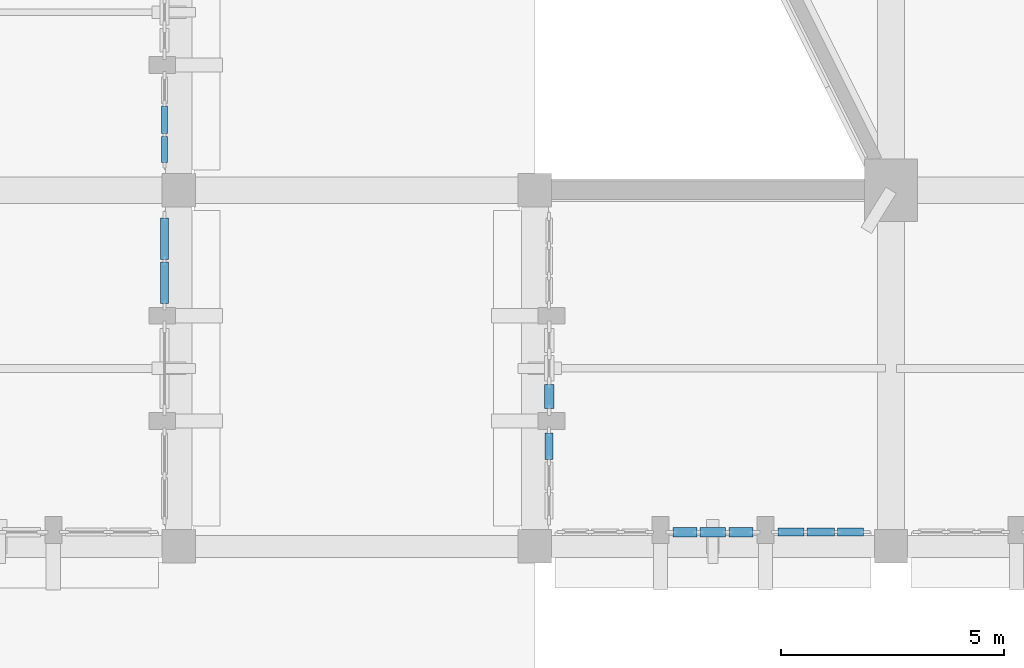
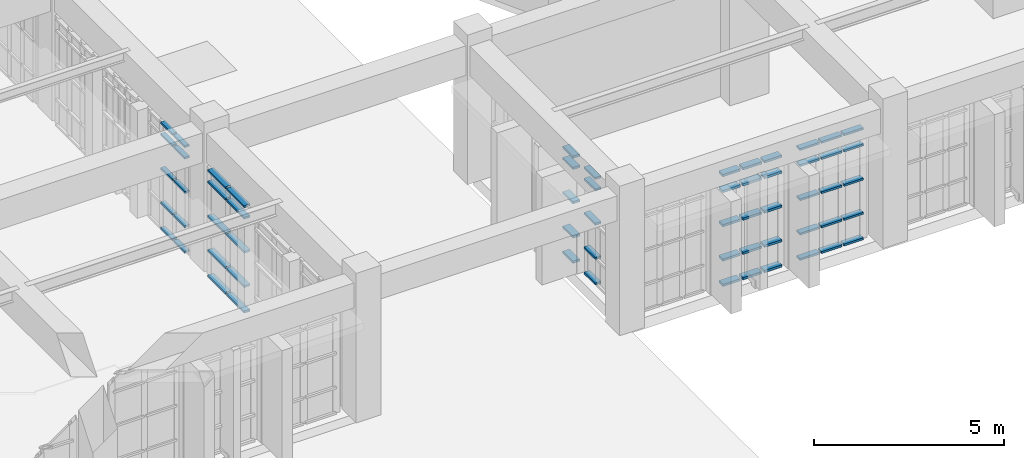
# One storey, part 52 of 155: 60 members, 6 elements without a shape of their own.
"""IFC4 building model written with IfcOpenShell, lengths in metres."""

from ifc_helpers import new_model, si_unit, direction, frame, origin, origin_2d, place, context, subcontext, project, spatial, rectangle, extrude, material, layer, layer_set, material_profile, profile_set, type_object, element, aggregate, save


model = new_model("IFC4")

# Units and contexts
model_context = context("Model", 3, precision=1e-05, world=origin(), true_north=direction((0.0, 1.0)))
body_context = subcontext(model_context, "Body", "Model", "MODEL_VIEW")
ifc_project = project(units=[si_unit("LENGTHUNIT", "METRE"), si_unit("AREAUNIT", "SQUARE_METRE"), si_unit("VOLUMEUNIT", "CUBIC_METRE"), si_unit("PLANEANGLEUNIT", "RADIAN"), si_unit("MASSUNIT", "GRAM", prefix="KILO")], contexts=[model_context])

# Site, building, storey
site_placement = place(None, origin())
site = spatial("IfcSite", under=ifc_project, at=site_placement, CompositionType="ELEMENT")
building_placement = place(site_placement, origin())
building = spatial("IfcBuilding", under=site, at=building_placement, Name="Tazarka Park Arena", CompositionType="ELEMENT")
storey_placement = place(building_placement, frame((0.0, 0.0, 5.39990234375)))
storey = spatial("IfcBuildingStorey", under=building, at=storey_placement, Name="L01", CompositionType="ELEMENT", Elevation=5.39990234375)

# Curtain wall, members
ifc_material_1 = material(Name="Aluminium and low-e glass", Category="aluminium")
ifc_layer_1 = layer(ifc_material_1, 0.179931640625, Name="Aluminium and low-e glass")
ifc_layer_set_1 = layer_set([ifc_layer_1], Name="Aluminium and low-e glass")
curtain_wall_type_1 = type_object("IfcCurtainWallType", Name="CW-03", PredefinedType="NOTDEFINED", material=ifc_layer_set_1)
curtain_wall_1_placement = place(storey_placement, origin())
curtain_wall_1 = element("IfcCurtainWall", 1, at=curtain_wall_1_placement, inside=storey, type_object=curtain_wall_type_1, Name="Curtain Wall CWA-L01-093", PredefinedType="NOTDEFINED")
ifc_material_2 = material(Name="Aluminium 6060-T66", Category="aluminium")
ifc_material_profile_1 = material_profile(ifc_material_2, rectangle(XDim=0.139892578125, YDim=0.06494140625, at=origin_2d()), Name="Aluminium 6060-T66")
ifc_profile_set_1 = profile_set([ifc_material_profile_1], Name="Aluminium 6060-T66")
member_type_1 = type_object("IfcMemberType", Name="CWT-01", PredefinedType="USERDEFINED", material=ifc_profile_set_1)
member_1_placement = place(storey_placement, frame((47.679931640625, 17.891357421875, 0.03271484375), z_axis=(0.0, -1.0, 0.0), x_axis=(1.0, 0.0, 0.0)))
member_1 = element("IfcMember", 2, at=member_1_placement, type_object=member_type_1, Name="CW-03 transom 2.1", ObjectType="TRANSOM", PredefinedType="USERDEFINED", context=body_context, shape_type="SweptSolid", body=[
    extrude(rectangle(XDim=0.139892578125, YDim=0.06494140625, at=origin_2d()), origin(), (0.0, 0.0, 1.0), 0.619384765625),
])
member_2_placement = place(storey_placement, frame((47.679931640625, 17.891357421875, 0.85009765625), z_axis=(0.0, -1.0, 0.0), x_axis=(1.0, 0.0, 0.0)))
member_2 = element("IfcMember", 3, at=member_2_placement, type_object=member_type_1, Name="CW-03 transom 2.2", ObjectType="TRANSOM", PredefinedType="USERDEFINED", context=body_context, shape_type="SweptSolid", body=[
    extrude(rectangle(XDim=0.139892578125, YDim=0.06494140625, at=origin_2d()), origin(), (0.0, 0.0, 1.0), 0.619384765625),
])
member_3_placement = place(storey_placement, frame((47.679931640625, 17.891357421875, 1.9501953125), z_axis=(0.0, -1.0, 0.0), x_axis=(1.0, 0.0, 0.0)))
member_3 = element("IfcMember", 4, at=member_3_placement, type_object=member_type_1, Name="CW-03 transom 2.3", ObjectType="TRANSOM", PredefinedType="USERDEFINED", context=body_context, shape_type="SweptSolid", body=[
    extrude(rectangle(XDim=0.139892578125, YDim=0.06494140625, at=origin_2d()), origin(), (0.0, 0.0, 1.0), 0.619384765625),
])
member_4_placement = place(storey_placement, frame((47.679931640625, 17.891357421875, 3.050048828125), z_axis=(0.0, -1.0, 0.0), x_axis=(1.0, 0.0, 0.0)))
member_4 = element("IfcMember", 5, at=member_4_placement, type_object=member_type_1, Name="CW-03 transom 2.4", ObjectType="TRANSOM", PredefinedType="USERDEFINED", context=body_context, shape_type="SweptSolid", body=[
    extrude(rectangle(XDim=0.139892578125, YDim=0.06494140625, at=origin_2d()), origin(), (0.0, 0.0, 1.0), 0.619384765625),
])
member_5_placement = place(storey_placement, frame((47.679931640625, 17.891357421875, 3.41748046875), z_axis=(0.0, -1.0, 0.0), x_axis=(1.0, 0.0, 0.0)))
member_5 = element("IfcMember", 6, at=member_5_placement, type_object=member_type_1, Name="CW-03 transom 2.5", ObjectType="TRANSOM", PredefinedType="USERDEFINED", context=body_context, shape_type="SweptSolid", body=[
    extrude(rectangle(XDim=0.139892578125, YDim=0.06494140625, at=origin_2d()), origin(), (0.0, 0.0, 1.0), 0.619384765625),
])
member_6_placement = place(storey_placement, frame((47.679931640625, 17.20703125, 0.03271484375), z_axis=(0.0, -1.0, 0.0), x_axis=(1.0, 0.0, 0.0)))
member_6 = element("IfcMember", 7, at=member_6_placement, type_object=member_type_1, Name="CW-03 transom 3.1", ObjectType="TRANSOM", PredefinedType="USERDEFINED", context=body_context, shape_type="SweptSolid", body=[
    extrude(rectangle(XDim=0.139892578125, YDim=0.06494140625, at=origin_2d()), origin(), (0.0, 0.0, 1.0), 0.5869140625),
])
member_7_placement = place(storey_placement, frame((47.679931640625, 17.20703125, 0.85009765625), z_axis=(0.0, -1.0, 0.0), x_axis=(1.0, 0.0, 0.0)))
member_7 = element("IfcMember", 8, at=member_7_placement, type_object=member_type_1, Name="CW-03 transom 3.2", ObjectType="TRANSOM", PredefinedType="USERDEFINED", context=body_context, shape_type="SweptSolid", body=[
    extrude(rectangle(XDim=0.139892578125, YDim=0.06494140625, at=origin_2d()), origin(), (0.0, 0.0, 1.0), 0.5869140625),
])
member_8_placement = place(storey_placement, frame((47.679931640625, 17.20703125, 1.9501953125), z_axis=(0.0, -1.0, 0.0), x_axis=(1.0, 0.0, 0.0)))
member_8 = element("IfcMember", 9, at=member_8_placement, type_object=member_type_1, Name="CW-03 transom 3.3", ObjectType="TRANSOM", PredefinedType="USERDEFINED", context=body_context, shape_type="SweptSolid", body=[
    extrude(rectangle(XDim=0.139892578125, YDim=0.06494140625, at=origin_2d()), origin(), (0.0, 0.0, 1.0), 0.5869140625),
])
member_9_placement = place(storey_placement, frame((47.679931640625, 17.20703125, 3.050048828125), z_axis=(0.0, -1.0, 0.0), x_axis=(1.0, 0.0, 0.0)))
member_9 = element("IfcMember", 10, at=member_9_placement, type_object=member_type_1, Name="CW-03 transom 3.4", ObjectType="TRANSOM", PredefinedType="USERDEFINED", context=body_context, shape_type="SweptSolid", body=[
    extrude(rectangle(XDim=0.139892578125, YDim=0.06494140625, at=origin_2d()), origin(), (0.0, 0.0, 1.0), 0.5869140625),
])
member_10_placement = place(storey_placement, frame((47.679931640625, 17.20703125, 3.41748046875), z_axis=(0.0, -1.0, 0.0), x_axis=(1.0, 0.0, 0.0)))
member_10 = element("IfcMember", 11, at=member_10_placement, type_object=member_type_1, Name="CW-03 transom 3.5", ObjectType="TRANSOM", PredefinedType="USERDEFINED", context=body_context, shape_type="SweptSolid", body=[
    extrude(rectangle(XDim=0.139892578125, YDim=0.06494140625, at=origin_2d()), origin(), (0.0, 0.0, 1.0), 0.5869140625),
])
aggregate(curtain_wall_1, [member_1, member_2, member_3, member_4, member_5, member_6, member_7, member_8, member_9, member_10])

ifc_material_3 = material(Name="Aluminium and low-e glass", Category="aluminium")
ifc_layer_2 = layer(ifc_material_3, 0.179931640625, Name="Aluminium and low-e glass")
ifc_layer_set_2 = layer_set([ifc_layer_2], Name="Aluminium and low-e glass")
curtain_wall_type_2 = type_object("IfcCurtainWallType", Name="CW-01", PredefinedType="NOTDEFINED", material=ifc_layer_set_2)
curtain_wall_2_placement = place(storey_placement, origin())
curtain_wall_2 = element("IfcCurtainWall", 12, at=curtain_wall_2_placement, inside=storey, type_object=curtain_wall_type_2, Name="Curtain Wall CWA-L01-001", PredefinedType="NOTDEFINED")
ifc_material_4 = material(Name="Aluminium 6060-T66", Category="aluminium")
ifc_material_profile_2 = material_profile(ifc_material_4, rectangle(XDim=0.179931640625, YDim=0.06494140625, at=origin_2d()), Name="Aluminium 6060-T66")
ifc_profile_set_2 = profile_set([ifc_material_profile_2], Name="Aluminium 6060-T66")
member_type_2 = type_object("IfcMemberType", Name="CWT-02", PredefinedType="USERDEFINED", material=ifc_profile_set_2)
member_11_placement = place(storey_placement, frame((56.320068359375, 9.956298828125, 0.03271484375), z_axis=(0.0, 1.0, 0.0), x_axis=(-1.0, 0.0, 0.0)))
member_11 = element("IfcMember", 13, at=member_11_placement, type_object=member_type_2, Name="CW-01 transom 3.1", ObjectType="TRANSOM", PredefinedType="USERDEFINED", context=body_context, shape_type="SweptSolid", body=[
    extrude(rectangle(XDim=0.179931640625, YDim=0.06494140625, at=origin_2d()), origin(), (0.0, 0.0, 1.0), 0.5869140625),
])
member_12_placement = place(storey_placement, frame((56.320068359375, 9.956298828125, 0.85009765625), z_axis=(0.0, 1.0, 0.0), x_axis=(-1.0, 0.0, 0.0)))
member_12 = element("IfcMember", 14, at=member_12_placement, type_object=member_type_2, Name="CW-01 transom 3.2", ObjectType="TRANSOM", PredefinedType="USERDEFINED", context=body_context, shape_type="SweptSolid", body=[
    extrude(rectangle(XDim=0.179931640625, YDim=0.06494140625, at=origin_2d()), origin(), (0.0, 0.0, 1.0), 0.5869140625),
])
member_13_placement = place(storey_placement, frame((56.320068359375, 9.956298828125, 1.9501953125), z_axis=(0.0, 1.0, 0.0), x_axis=(-1.0, 0.0, 0.0)))
member_13 = element("IfcMember", 15, at=member_13_placement, type_object=member_type_2, Name="CW-01 transom 3.3", ObjectType="TRANSOM", PredefinedType="USERDEFINED", context=body_context, shape_type="SweptSolid", body=[
    extrude(rectangle(XDim=0.179931640625, YDim=0.06494140625, at=origin_2d()), origin(), (0.0, 0.0, 1.0), 0.5869140625),
])
member_14_placement = place(storey_placement, frame((56.320068359375, 9.956298828125, 3.050048828125), z_axis=(0.0, 1.0, 0.0), x_axis=(-1.0, 0.0, 0.0)))
member_14 = element("IfcMember", 16, at=member_14_placement, type_object=member_type_2, Name="CW-01 transom 3.4", ObjectType="TRANSOM", PredefinedType="USERDEFINED", context=body_context, shape_type="SweptSolid", body=[
    extrude(rectangle(XDim=0.179931640625, YDim=0.06494140625, at=origin_2d()), origin(), (0.0, 0.0, 1.0), 0.5869140625),
])
member_15_placement = place(storey_placement, frame((56.320068359375, 9.956298828125, 3.41748046875), z_axis=(0.0, 1.0, 0.0), x_axis=(-1.0, 0.0, 0.0)))
member_15 = element("IfcMember", 17, at=member_15_placement, type_object=member_type_2, Name="CW-01 transom 3.5", ObjectType="TRANSOM", PredefinedType="USERDEFINED", context=body_context, shape_type="SweptSolid", body=[
    extrude(rectangle(XDim=0.179931640625, YDim=0.06494140625, at=origin_2d()), origin(), (0.0, 0.0, 1.0), 0.5869140625),
])
aggregate(curtain_wall_2, [member_11, member_12, member_13, member_14, member_15])

ifc_material_5 = material(Name="Aluminium and low-e glass", Category="aluminium")
ifc_layer_3 = layer(ifc_material_5, 0.179931640625, Name="Aluminium and low-e glass")
ifc_layer_set_3 = layer_set([ifc_layer_3], Name="Aluminium and low-e glass")
curtain_wall_type_3 = type_object("IfcCurtainWallType", Name="CW-04", PredefinedType="NOTDEFINED", material=ifc_layer_set_3)
curtain_wall_3_placement = place(storey_placement, origin())
curtain_wall_3 = element("IfcCurtainWall", 18, at=curtain_wall_3_placement, inside=storey, type_object=curtain_wall_type_3, Name="Curtain Wall CWA-L01-004", PredefinedType="NOTDEFINED")
member_16_placement = place(storey_placement, frame((63.3798828125, 8.320068359375, 0.03271484375), z_axis=(-1.0, 0.0, 0.0), x_axis=(0.0, -1.0, 0.0)))
member_16 = element("IfcMember", 19, at=member_16_placement, type_object=member_type_2, Name="CW-04 transom 1.1", ObjectType="TRANSOM", PredefinedType="USERDEFINED", context=body_context, shape_type="SweptSolid", body=[
    extrude(rectangle(XDim=0.179931640625, YDim=0.06494140625, at=origin_2d()), origin(), (0.0, 0.0, 1.0), 0.5869140625),
])
member_17_placement = place(storey_placement, frame((63.3798828125, 8.320068359375, 0.85009765625), z_axis=(-1.0, 0.0, 0.0), x_axis=(0.0, -1.0, 0.0)))
member_17 = element("IfcMember", 20, at=member_17_placement, type_object=member_type_2, Name="CW-04 transom 1.2", ObjectType="TRANSOM", PredefinedType="USERDEFINED", context=body_context, shape_type="SweptSolid", body=[
    extrude(rectangle(XDim=0.179931640625, YDim=0.06494140625, at=origin_2d()), origin(), (0.0, 0.0, 1.0), 0.5869140625),
])
member_18_placement = place(storey_placement, frame((63.3798828125, 8.320068359375, 1.9501953125), z_axis=(-1.0, 0.0, 0.0), x_axis=(0.0, -1.0, 0.0)))
member_18 = element("IfcMember", 21, at=member_18_placement, type_object=member_type_2, Name="CW-04 transom 1.3", ObjectType="TRANSOM", PredefinedType="USERDEFINED", context=body_context, shape_type="SweptSolid", body=[
    extrude(rectangle(XDim=0.179931640625, YDim=0.06494140625, at=origin_2d()), origin(), (0.0, 0.0, 1.0), 0.5869140625),
])
member_19_placement = place(storey_placement, frame((63.3798828125, 8.320068359375, 3.050048828125), z_axis=(-1.0, 0.0, 0.0), x_axis=(0.0, -1.0, 0.0)))
member_19 = element("IfcMember", 22, at=member_19_placement, type_object=member_type_2, Name="CW-04 transom 1.4", ObjectType="TRANSOM", PredefinedType="USERDEFINED", context=body_context, shape_type="SweptSolid", body=[
    extrude(rectangle(XDim=0.179931640625, YDim=0.06494140625, at=origin_2d()), origin(), (0.0, 0.0, 1.0), 0.5869140625),
])
member_20_placement = place(storey_placement, frame((63.3798828125, 8.320068359375, 3.567626953125), z_axis=(-1.0, 0.0, 0.0), x_axis=(0.0, -1.0, 0.0)))
member_20 = element("IfcMember", 23, at=member_20_placement, type_object=member_type_2, Name="CW-04 transom 1.5", ObjectType="TRANSOM", PredefinedType="USERDEFINED", context=body_context, shape_type="SweptSolid", body=[
    extrude(rectangle(XDim=0.179931640625, YDim=0.06494140625, at=origin_2d()), origin(), (0.0, 0.0, 1.0), 0.5869140625),
])
member_21_placement = place(storey_placement, frame((62.72802734375, 8.320068359375, 0.03271484375), z_axis=(-1.0, 0.0, 0.0), x_axis=(0.0, -1.0, 0.0)))
member_21 = element("IfcMember", 24, at=member_21_placement, type_object=member_type_2, Name="CW-04 transom 2.1", ObjectType="TRANSOM", PredefinedType="USERDEFINED", context=body_context, shape_type="SweptSolid", body=[
    extrude(rectangle(XDim=0.179931640625, YDim=0.06494140625, at=origin_2d()), origin(), (0.0, 0.0, 1.0), 0.619384765625),
])
member_22_placement = place(storey_placement, frame((62.72802734375, 8.320068359375, 0.85009765625), z_axis=(-1.0, 0.0, 0.0), x_axis=(0.0, -1.0, 0.0)))
member_22 = element("IfcMember", 25, at=member_22_placement, type_object=member_type_2, Name="CW-04 transom 2.2", ObjectType="TRANSOM", PredefinedType="USERDEFINED", context=body_context, shape_type="SweptSolid", body=[
    extrude(rectangle(XDim=0.179931640625, YDim=0.06494140625, at=origin_2d()), origin(), (0.0, 0.0, 1.0), 0.619384765625),
])
member_23_placement = place(storey_placement, frame((62.72802734375, 8.320068359375, 1.9501953125), z_axis=(-1.0, 0.0, 0.0), x_axis=(0.0, -1.0, 0.0)))
member_23 = element("IfcMember", 26, at=member_23_placement, type_object=member_type_2, Name="CW-04 transom 2.3", ObjectType="TRANSOM", PredefinedType="USERDEFINED", context=body_context, shape_type="SweptSolid", body=[
    extrude(rectangle(XDim=0.179931640625, YDim=0.06494140625, at=origin_2d()), origin(), (0.0, 0.0, 1.0), 0.619384765625),
])
member_24_placement = place(storey_placement, frame((62.72802734375, 8.320068359375, 3.050048828125), z_axis=(-1.0, 0.0, 0.0), x_axis=(0.0, -1.0, 0.0)))
member_24 = element("IfcMember", 27, at=member_24_placement, type_object=member_type_2, Name="CW-04 transom 2.4", ObjectType="TRANSOM", PredefinedType="USERDEFINED", context=body_context, shape_type="SweptSolid", body=[
    extrude(rectangle(XDim=0.179931640625, YDim=0.06494140625, at=origin_2d()), origin(), (0.0, 0.0, 1.0), 0.619384765625),
])
member_25_placement = place(storey_placement, frame((62.72802734375, 8.320068359375, 3.567626953125), z_axis=(-1.0, 0.0, 0.0), x_axis=(0.0, -1.0, 0.0)))
member_25 = element("IfcMember", 28, at=member_25_placement, type_object=member_type_2, Name="CW-04 transom 2.5", ObjectType="TRANSOM", PredefinedType="USERDEFINED", context=body_context, shape_type="SweptSolid", body=[
    extrude(rectangle(XDim=0.179931640625, YDim=0.06494140625, at=origin_2d()), origin(), (0.0, 0.0, 1.0), 0.619384765625),
])
member_26_placement = place(storey_placement, frame((62.043701171875, 8.320068359375, 0.03271484375), z_axis=(-1.0, 0.0, 0.0), x_axis=(0.0, -1.0, 0.0)))
member_26 = element("IfcMember", 29, at=member_26_placement, type_object=member_type_2, Name="CW-04 transom 3.1", ObjectType="TRANSOM", PredefinedType="USERDEFINED", context=body_context, shape_type="SweptSolid", body=[
    extrude(rectangle(XDim=0.179931640625, YDim=0.06494140625, at=origin_2d()), origin(), (0.0, 0.0, 1.0), 0.5869140625),
])
member_27_placement = place(storey_placement, frame((62.043701171875, 8.320068359375, 0.85009765625), z_axis=(-1.0, 0.0, 0.0), x_axis=(0.0, -1.0, 0.0)))
member_27 = element("IfcMember", 30, at=member_27_placement, type_object=member_type_2, Name="CW-04 transom 3.2", ObjectType="TRANSOM", PredefinedType="USERDEFINED", context=body_context, shape_type="SweptSolid", body=[
    extrude(rectangle(XDim=0.179931640625, YDim=0.06494140625, at=origin_2d()), origin(), (0.0, 0.0, 1.0), 0.5869140625),
])
member_28_placement = place(storey_placement, frame((62.043701171875, 8.320068359375, 1.9501953125), z_axis=(-1.0, 0.0, 0.0), x_axis=(0.0, -1.0, 0.0)))
member_28 = element("IfcMember", 31, at=member_28_placement, type_object=member_type_2, Name="CW-04 transom 3.3", ObjectType="TRANSOM", PredefinedType="USERDEFINED", context=body_context, shape_type="SweptSolid", body=[
    extrude(rectangle(XDim=0.179931640625, YDim=0.06494140625, at=origin_2d()), origin(), (0.0, 0.0, 1.0), 0.5869140625),
])
member_29_placement = place(storey_placement, frame((62.043701171875, 8.320068359375, 3.050048828125), z_axis=(-1.0, 0.0, 0.0), x_axis=(0.0, -1.0, 0.0)))
member_29 = element("IfcMember", 32, at=member_29_placement, type_object=member_type_2, Name="CW-04 transom 3.4", ObjectType="TRANSOM", PredefinedType="USERDEFINED", context=body_context, shape_type="SweptSolid", body=[
    extrude(rectangle(XDim=0.179931640625, YDim=0.06494140625, at=origin_2d()), origin(), (0.0, 0.0, 1.0), 0.5869140625),
])
member_30_placement = place(storey_placement, frame((62.043701171875, 8.320068359375, 3.567626953125), z_axis=(-1.0, 0.0, 0.0), x_axis=(0.0, -1.0, 0.0)))
member_30 = element("IfcMember", 33, at=member_30_placement, type_object=member_type_2, Name="CW-04 transom 3.5", ObjectType="TRANSOM", PredefinedType="USERDEFINED", context=body_context, shape_type="SweptSolid", body=[
    extrude(rectangle(XDim=0.179931640625, YDim=0.06494140625, at=origin_2d()), origin(), (0.0, 0.0, 1.0), 0.5869140625),
])
aggregate(curtain_wall_3, [member_16, member_17, member_18, member_19, member_20, member_21, member_22, member_23, member_24, member_25, member_26, member_27, member_28, member_29, member_30])

ifc_material_6 = material(Name="Aluminium and low-e glass", Category="aluminium")
ifc_layer_4 = layer(ifc_material_6, 0.179931640625, Name="Aluminium and low-e glass")
ifc_layer_set_4 = layer_set([ifc_layer_4], Name="Aluminium and low-e glass")
curtain_wall_type_4 = type_object("IfcCurtainWallType", Name="CW-28", PredefinedType="NOTDEFINED", material=ifc_layer_set_4)
curtain_wall_4_placement = place(storey_placement, origin())
curtain_wall_4 = element("IfcCurtainWall", 34, at=curtain_wall_4_placement, inside=storey, type_object=curtain_wall_type_4, Name="Curtain Wall CWA-L01-088", PredefinedType="NOTDEFINED")
member_31_placement = place(storey_placement, frame((47.679931640625, 15.3798828125, 0.03271484375), z_axis=(0.0, -1.0, 0.0), x_axis=(1.0, 0.0, 0.0)))
member_31 = element("IfcMember", 35, at=member_31_placement, type_object=member_type_2, Name="CW-28 transom 1.1", ObjectType="TRANSOM", PredefinedType="USERDEFINED", context=body_context, shape_type="SweptSolid", body=[
    extrude(rectangle(XDim=0.179931640625, YDim=0.06494140625, at=origin_2d()), origin(), (0.0, 0.0, 1.0), 0.928955078125),
])
member_32_placement = place(storey_placement, frame((47.679931640625, 15.3798828125, 0.85009765625), z_axis=(0.0, -1.0, 0.0), x_axis=(1.0, 0.0, 0.0)))
member_32 = element("IfcMember", 36, at=member_32_placement, type_object=member_type_2, Name="CW-28 transom 1.2", ObjectType="TRANSOM", PredefinedType="USERDEFINED", context=body_context, shape_type="SweptSolid", body=[
    extrude(rectangle(XDim=0.179931640625, YDim=0.06494140625, at=origin_2d()), origin(), (0.0, 0.0, 1.0), 0.928955078125),
])
member_33_placement = place(storey_placement, frame((47.679931640625, 15.3798828125, 1.9501953125), z_axis=(0.0, -1.0, 0.0), x_axis=(1.0, 0.0, 0.0)))
member_33 = element("IfcMember", 37, at=member_33_placement, type_object=member_type_2, Name="CW-28 transom 1.3", ObjectType="TRANSOM", PredefinedType="USERDEFINED", context=body_context, shape_type="SweptSolid", body=[
    extrude(rectangle(XDim=0.179931640625, YDim=0.06494140625, at=origin_2d()), origin(), (0.0, 0.0, 1.0), 0.928955078125),
])
member_34_placement = place(storey_placement, frame((47.679931640625, 15.3798828125, 3.050048828125), z_axis=(0.0, -1.0, 0.0), x_axis=(1.0, 0.0, 0.0)))
member_34 = element("IfcMember", 38, at=member_34_placement, type_object=member_type_2, Name="CW-28 transom 1.4", ObjectType="TRANSOM", PredefinedType="USERDEFINED", context=body_context, shape_type="SweptSolid", body=[
    extrude(rectangle(XDim=0.179931640625, YDim=0.06494140625, at=origin_2d()), origin(), (0.0, 0.0, 1.0), 0.928955078125),
])
member_35_placement = place(storey_placement, frame((47.679931640625, 15.3798828125, 3.41748046875), z_axis=(0.0, -1.0, 0.0), x_axis=(1.0, 0.0, 0.0)))
member_35 = element("IfcMember", 39, at=member_35_placement, type_object=member_type_2, Name="CW-28 transom 1.5", ObjectType="TRANSOM", PredefinedType="USERDEFINED", context=body_context, shape_type="SweptSolid", body=[
    extrude(rectangle(XDim=0.179931640625, YDim=0.06494140625, at=origin_2d()), origin(), (0.0, 0.0, 1.0), 0.928955078125),
])
member_36_placement = place(storey_placement, frame((47.679931640625, 14.3857421875, 0.03271484375), z_axis=(0.0, -1.0, 0.0), x_axis=(1.0, 0.0, 0.0)))
member_36 = element("IfcMember", 40, at=member_36_placement, type_object=member_type_2, Name="CW-28 transom 2.1", ObjectType="TRANSOM", PredefinedType="USERDEFINED", context=body_context, shape_type="SweptSolid", body=[
    extrude(rectangle(XDim=0.179931640625, YDim=0.06494140625, at=origin_2d()), origin(), (0.0, 0.0, 1.0), 0.928955078125),
])
member_37_placement = place(storey_placement, frame((47.679931640625, 14.3857421875, 0.85009765625), z_axis=(0.0, -1.0, 0.0), x_axis=(1.0, 0.0, 0.0)))
member_37 = element("IfcMember", 41, at=member_37_placement, type_object=member_type_2, Name="CW-28 transom 2.2", ObjectType="TRANSOM", PredefinedType="USERDEFINED", context=body_context, shape_type="SweptSolid", body=[
    extrude(rectangle(XDim=0.179931640625, YDim=0.06494140625, at=origin_2d()), origin(), (0.0, 0.0, 1.0), 0.928955078125),
])
member_38_placement = place(storey_placement, frame((47.679931640625, 14.3857421875, 1.9501953125), z_axis=(0.0, -1.0, 0.0), x_axis=(1.0, 0.0, 0.0)))
member_38 = element("IfcMember", 42, at=member_38_placement, type_object=member_type_2, Name="CW-28 transom 2.3", ObjectType="TRANSOM", PredefinedType="USERDEFINED", context=body_context, shape_type="SweptSolid", body=[
    extrude(rectangle(XDim=0.179931640625, YDim=0.06494140625, at=origin_2d()), origin(), (0.0, 0.0, 1.0), 0.928955078125),
])
member_39_placement = place(storey_placement, frame((47.679931640625, 14.3857421875, 3.050048828125), z_axis=(0.0, -1.0, 0.0), x_axis=(1.0, 0.0, 0.0)))
member_39 = element("IfcMember", 43, at=member_39_placement, type_object=member_type_2, Name="CW-28 transom 2.4", ObjectType="TRANSOM", PredefinedType="USERDEFINED", context=body_context, shape_type="SweptSolid", body=[
    extrude(rectangle(XDim=0.179931640625, YDim=0.06494140625, at=origin_2d()), origin(), (0.0, 0.0, 1.0), 0.928955078125),
])
member_40_placement = place(storey_placement, frame((47.679931640625, 14.3857421875, 3.41748046875), z_axis=(0.0, -1.0, 0.0), x_axis=(1.0, 0.0, 0.0)))
member_40 = element("IfcMember", 44, at=member_40_placement, type_object=member_type_2, Name="CW-28 transom 2.5", ObjectType="TRANSOM", PredefinedType="USERDEFINED", context=body_context, shape_type="SweptSolid", body=[
    extrude(rectangle(XDim=0.179931640625, YDim=0.06494140625, at=origin_2d()), origin(), (0.0, 0.0, 1.0), 0.928955078125),
])
aggregate(curtain_wall_4, [member_31, member_32, member_33, member_34, member_35, member_36, member_37, member_38, member_39, member_40])

ifc_material_7 = material(Name="Aluminium and low-e glass", Category="aluminium")
ifc_layer_5 = layer(ifc_material_7, 0.179931640625, Name="Aluminium and low-e glass")
ifc_layer_set_5 = layer_set([ifc_layer_5], Name="Aluminium and low-e glass")
curtain_wall_type_5 = type_object("IfcCurtainWallType", Name="CW-02", PredefinedType="NOTDEFINED", material=ifc_layer_set_5)
curtain_wall_5_placement = place(storey_placement, origin())
curtain_wall_5 = element("IfcCurtainWall", 45, at=curtain_wall_5_placement, inside=storey, type_object=curtain_wall_type_5, Name="Curtain Wall CWA-L01-002", PredefinedType="NOTDEFINED")
ifc_material_8 = material(Name="Aluminium 6060-T66", Category="aluminium")
ifc_material_profile_3 = material_profile(ifc_material_8, rectangle(XDim=0.2099609375, YDim=0.074951171875, at=origin_2d()), Name="Aluminium 6060-T66")
ifc_profile_set_3 = profile_set([ifc_material_profile_3], Name="Aluminium 6060-T66")
member_type_3 = type_object("IfcMemberType", Name="CWT-03", PredefinedType="USERDEFINED", material=ifc_profile_set_3)
member_41_placement = place(storey_placement, frame((56.320068359375, 11.103271484375, 0.03759765625), z_axis=(0.0, 1.0, 0.0), x_axis=(-1.0, 0.0, 0.0)))
member_41 = element("IfcMember", 46, at=member_41_placement, type_object=member_type_3, Name="CW-02 transom 1.1", ObjectType="TRANSOM", PredefinedType="USERDEFINED", context=body_context, shape_type="SweptSolid", body=[
    extrude(rectangle(XDim=0.2099609375, YDim=0.074951171875, at=origin_2d()), origin(), (0.0, 0.0, 1.0), 0.535400390625),
])
member_42_placement = place(storey_placement, frame((56.320068359375, 11.103271484375, 0.85009765625), z_axis=(0.0, 1.0, 0.0), x_axis=(-1.0, 0.0, 0.0)))
member_42 = element("IfcMember", 47, at=member_42_placement, type_object=member_type_3, Name="CW-02 transom 1.2", ObjectType="TRANSOM", PredefinedType="USERDEFINED", context=body_context, shape_type="SweptSolid", body=[
    extrude(rectangle(XDim=0.2099609375, YDim=0.074951171875, at=origin_2d()), origin(), (0.0, 0.0, 1.0), 0.535400390625),
])
member_43_placement = place(storey_placement, frame((56.320068359375, 11.103271484375, 1.9501953125), z_axis=(0.0, 1.0, 0.0), x_axis=(-1.0, 0.0, 0.0)))
member_43 = element("IfcMember", 48, at=member_43_placement, type_object=member_type_3, Name="CW-02 transom 1.3", ObjectType="TRANSOM", PredefinedType="USERDEFINED", context=body_context, shape_type="SweptSolid", body=[
    extrude(rectangle(XDim=0.2099609375, YDim=0.074951171875, at=origin_2d()), origin(), (0.0, 0.0, 1.0), 0.535400390625),
])
member_44_placement = place(storey_placement, frame((56.320068359375, 11.103271484375, 3.050048828125), z_axis=(0.0, 1.0, 0.0), x_axis=(-1.0, 0.0, 0.0)))
member_44 = element("IfcMember", 49, at=member_44_placement, type_object=member_type_3, Name="CW-02 transom 1.4", ObjectType="TRANSOM", PredefinedType="USERDEFINED", context=body_context, shape_type="SweptSolid", body=[
    extrude(rectangle(XDim=0.2099609375, YDim=0.074951171875, at=origin_2d()), origin(), (0.0, 0.0, 1.0), 0.535400390625),
])
member_45_placement = place(storey_placement, frame((56.320068359375, 11.103271484375, 3.41259765625), z_axis=(0.0, 1.0, 0.0), x_axis=(-1.0, 0.0, 0.0)))
member_45 = element("IfcMember", 50, at=member_45_placement, type_object=member_type_3, Name="CW-02 transom 1.5", ObjectType="TRANSOM", PredefinedType="USERDEFINED", context=body_context, shape_type="SweptSolid", body=[
    extrude(rectangle(XDim=0.2099609375, YDim=0.074951171875, at=origin_2d()), origin(), (0.0, 0.0, 1.0), 0.535400390625),
])
aggregate(curtain_wall_5, [member_41, member_42, member_43, member_44, member_45])

ifc_material_9 = material(Name="Aluminium and low-e glass", Category="aluminium")
ifc_layer_6 = layer(ifc_material_9, 0.179931640625, Name="Aluminium and low-e glass")
ifc_layer_set_6 = layer_set([ifc_layer_6], Name="Aluminium and low-e glass")
curtain_wall_type_6 = type_object("IfcCurtainWallType", Name="CW-05", PredefinedType="NOTDEFINED", material=ifc_layer_set_6)
curtain_wall_6_placement = place(storey_placement, origin())
curtain_wall_6 = element("IfcCurtainWall", 51, at=curtain_wall_6_placement, inside=storey, type_object=curtain_wall_type_6, Name="Curtain Wall CWA-L01-005", PredefinedType="NOTDEFINED")
member_46_placement = place(storey_placement, frame((60.896728515625, 8.320068359375, 0.03759765625), z_axis=(-1.0, 0.0, 0.0), x_axis=(0.0, -1.0, 0.0)))
member_46 = element("IfcMember", 52, at=member_46_placement, type_object=member_type_3, Name="CW-05 transom 1.1", ObjectType="TRANSOM", PredefinedType="USERDEFINED", context=body_context, shape_type="SweptSolid", body=[
    extrude(rectangle(XDim=0.2099609375, YDim=0.074951171875, at=origin_2d()), origin(), (0.0, 0.0, 1.0), 0.535400390625),
])
member_47_placement = place(storey_placement, frame((60.896728515625, 8.320068359375, 0.85009765625), z_axis=(-1.0, 0.0, 0.0), x_axis=(0.0, -1.0, 0.0)))
member_47 = element("IfcMember", 53, at=member_47_placement, type_object=member_type_3, Name="CW-05 transom 1.2", ObjectType="TRANSOM", PredefinedType="USERDEFINED", context=body_context, shape_type="SweptSolid", body=[
    extrude(rectangle(XDim=0.2099609375, YDim=0.074951171875, at=origin_2d()), origin(), (0.0, 0.0, 1.0), 0.535400390625),
])
member_48_placement = place(storey_placement, frame((60.896728515625, 8.320068359375, 1.9501953125), z_axis=(-1.0, 0.0, 0.0), x_axis=(0.0, -1.0, 0.0)))
member_48 = element("IfcMember", 54, at=member_48_placement, type_object=member_type_3, Name="CW-05 transom 1.3", ObjectType="TRANSOM", PredefinedType="USERDEFINED", context=body_context, shape_type="SweptSolid", body=[
    extrude(rectangle(XDim=0.2099609375, YDim=0.074951171875, at=origin_2d()), origin(), (0.0, 0.0, 1.0), 0.535400390625),
])
member_49_placement = place(storey_placement, frame((60.896728515625, 8.320068359375, 3.050048828125), z_axis=(-1.0, 0.0, 0.0), x_axis=(0.0, -1.0, 0.0)))
member_49 = element("IfcMember", 55, at=member_49_placement, type_object=member_type_3, Name="CW-05 transom 1.4", ObjectType="TRANSOM", PredefinedType="USERDEFINED", context=body_context, shape_type="SweptSolid", body=[
    extrude(rectangle(XDim=0.2099609375, YDim=0.074951171875, at=origin_2d()), origin(), (0.0, 0.0, 1.0), 0.535400390625),
])
member_50_placement = place(storey_placement, frame((60.896728515625, 8.320068359375, 3.5625), z_axis=(-1.0, 0.0, 0.0), x_axis=(0.0, -1.0, 0.0)))
member_50 = element("IfcMember", 56, at=member_50_placement, type_object=member_type_3, Name="CW-05 transom 1.5", ObjectType="TRANSOM", PredefinedType="USERDEFINED", context=body_context, shape_type="SweptSolid", body=[
    extrude(rectangle(XDim=0.2099609375, YDim=0.074951171875, at=origin_2d()), origin(), (0.0, 0.0, 1.0), 0.535400390625),
])
member_51_placement = place(storey_placement, frame((60.286376953125, 8.320068359375, 0.03759765625), z_axis=(-1.0, 0.0, 0.0), x_axis=(0.0, -1.0, 0.0)))
member_51 = element("IfcMember", 57, at=member_51_placement, type_object=member_type_3, Name="CW-05 transom 2.1", ObjectType="TRANSOM", PredefinedType="USERDEFINED", context=body_context, shape_type="SweptSolid", body=[
    extrude(rectangle(XDim=0.2099609375, YDim=0.074951171875, at=origin_2d()), origin(), (0.0, 0.0, 1.0), 0.57275390625),
])
member_52_placement = place(storey_placement, frame((60.286376953125, 8.320068359375, 0.85009765625), z_axis=(-1.0, 0.0, 0.0), x_axis=(0.0, -1.0, 0.0)))
member_52 = element("IfcMember", 58, at=member_52_placement, type_object=member_type_3, Name="CW-05 transom 2.2", ObjectType="TRANSOM", PredefinedType="USERDEFINED", context=body_context, shape_type="SweptSolid", body=[
    extrude(rectangle(XDim=0.2099609375, YDim=0.074951171875, at=origin_2d()), origin(), (0.0, 0.0, 1.0), 0.57275390625),
])
member_53_placement = place(storey_placement, frame((60.286376953125, 8.320068359375, 1.9501953125), z_axis=(-1.0, 0.0, 0.0), x_axis=(0.0, -1.0, 0.0)))
member_53 = element("IfcMember", 59, at=member_53_placement, type_object=member_type_3, Name="CW-05 transom 2.3", ObjectType="TRANSOM", PredefinedType="USERDEFINED", context=body_context, shape_type="SweptSolid", body=[
    extrude(rectangle(XDim=0.2099609375, YDim=0.074951171875, at=origin_2d()), origin(), (0.0, 0.0, 1.0), 0.57275390625),
])
member_54_placement = place(storey_placement, frame((60.286376953125, 8.320068359375, 3.050048828125), z_axis=(-1.0, 0.0, 0.0), x_axis=(0.0, -1.0, 0.0)))
member_54 = element("IfcMember", 60, at=member_54_placement, type_object=member_type_3, Name="CW-05 transom 2.4", ObjectType="TRANSOM", PredefinedType="USERDEFINED", context=body_context, shape_type="SweptSolid", body=[
    extrude(rectangle(XDim=0.2099609375, YDim=0.074951171875, at=origin_2d()), origin(), (0.0, 0.0, 1.0), 0.57275390625),
])
member_55_placement = place(storey_placement, frame((60.286376953125, 8.320068359375, 3.5625), z_axis=(-1.0, 0.0, 0.0), x_axis=(0.0, -1.0, 0.0)))
member_55 = element("IfcMember", 61, at=member_55_placement, type_object=member_type_3, Name="CW-05 transom 2.5", ObjectType="TRANSOM", PredefinedType="USERDEFINED", context=body_context, shape_type="SweptSolid", body=[
    extrude(rectangle(XDim=0.2099609375, YDim=0.074951171875, at=origin_2d()), origin(), (0.0, 0.0, 1.0), 0.57275390625),
])
member_56_placement = place(storey_placement, frame((59.638671875, 8.320068359375, 0.03759765625), z_axis=(-1.0, 0.0, 0.0), x_axis=(0.0, -1.0, 0.0)))
member_56 = element("IfcMember", 62, at=member_56_placement, type_object=member_type_3, Name="CW-05 transom 3.1", ObjectType="TRANSOM", PredefinedType="USERDEFINED", context=body_context, shape_type="SweptSolid", body=[
    extrude(rectangle(XDim=0.2099609375, YDim=0.074951171875, at=origin_2d()), origin(), (0.0, 0.0, 1.0), 0.535400390625),
])
member_57_placement = place(storey_placement, frame((59.638671875, 8.320068359375, 0.85009765625), z_axis=(-1.0, 0.0, 0.0), x_axis=(0.0, -1.0, 0.0)))
member_57 = element("IfcMember", 63, at=member_57_placement, type_object=member_type_3, Name="CW-05 transom 3.2", ObjectType="TRANSOM", PredefinedType="USERDEFINED", context=body_context, shape_type="SweptSolid", body=[
    extrude(rectangle(XDim=0.2099609375, YDim=0.074951171875, at=origin_2d()), origin(), (0.0, 0.0, 1.0), 0.535400390625),
])
member_58_placement = place(storey_placement, frame((59.638671875, 8.320068359375, 1.9501953125), z_axis=(-1.0, 0.0, 0.0), x_axis=(0.0, -1.0, 0.0)))
member_58 = element("IfcMember", 64, at=member_58_placement, type_object=member_type_3, Name="CW-05 transom 3.3", ObjectType="TRANSOM", PredefinedType="USERDEFINED", context=body_context, shape_type="SweptSolid", body=[
    extrude(rectangle(XDim=0.2099609375, YDim=0.074951171875, at=origin_2d()), origin(), (0.0, 0.0, 1.0), 0.535400390625),
])
member_59_placement = place(storey_placement, frame((59.638671875, 8.320068359375, 3.050048828125), z_axis=(-1.0, 0.0, 0.0), x_axis=(0.0, -1.0, 0.0)))
member_59 = element("IfcMember", 65, at=member_59_placement, type_object=member_type_3, Name="CW-05 transom 3.4", ObjectType="TRANSOM", PredefinedType="USERDEFINED", context=body_context, shape_type="SweptSolid", body=[
    extrude(rectangle(XDim=0.2099609375, YDim=0.074951171875, at=origin_2d()), origin(), (0.0, 0.0, 1.0), 0.535400390625),
])
member_60_placement = place(storey_placement, frame((59.638671875, 8.320068359375, 3.5625), z_axis=(-1.0, 0.0, 0.0), x_axis=(0.0, -1.0, 0.0)))
member_60 = element("IfcMember", 66, at=member_60_placement, type_object=member_type_3, Name="CW-05 transom 3.5", ObjectType="TRANSOM", PredefinedType="USERDEFINED", context=body_context, shape_type="SweptSolid", body=[
    extrude(rectangle(XDim=0.2099609375, YDim=0.074951171875, at=origin_2d()), origin(), (0.0, 0.0, 1.0), 0.535400390625),
])
aggregate(curtain_wall_6, [member_46, member_47, member_48, member_49, member_50, member_51, member_52, member_53, member_54, member_55, member_56, member_57, member_58, member_59, member_60])

save(model, "model.ifc")
